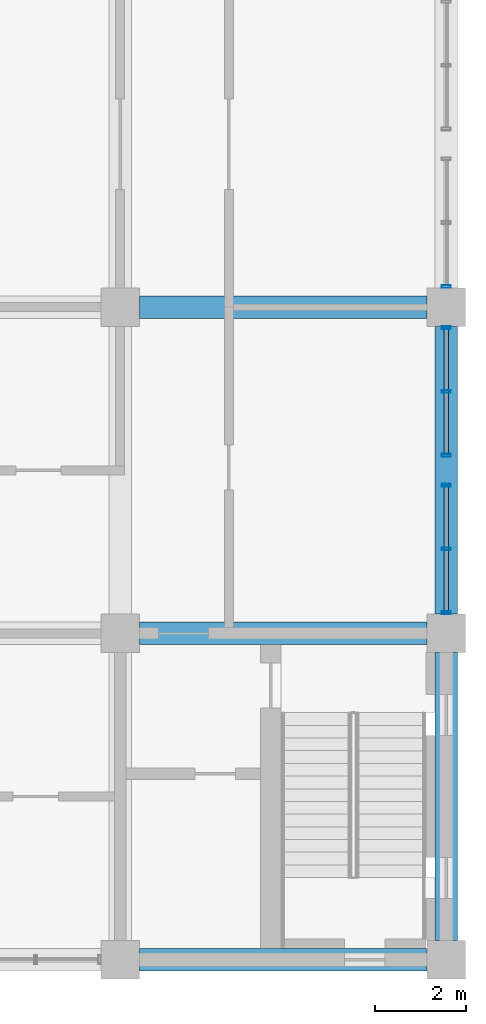
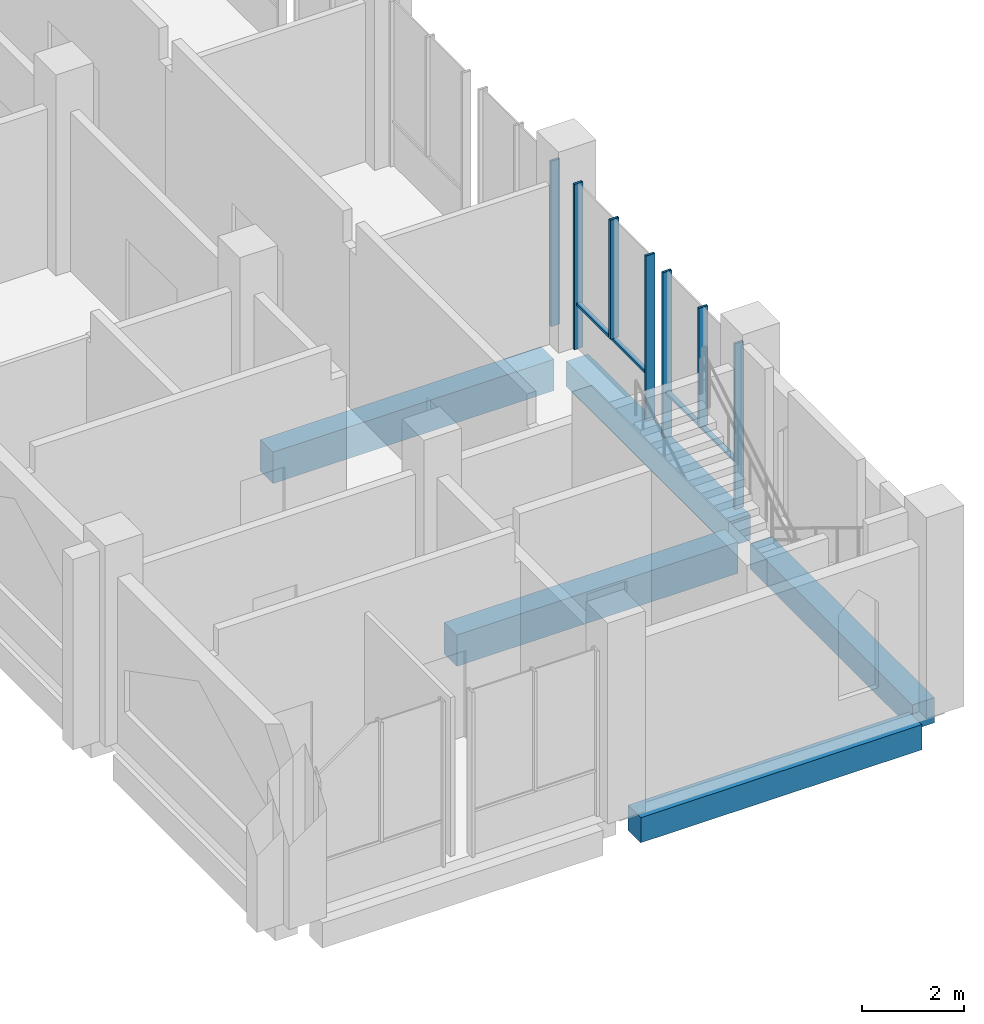
# One storey, part 16 of 40: 9 members, 5 beams, 3 elements without a shape of their own.
"""IFC4 building model written with IfcOpenShell, lengths in metres."""

import ifcopenshell
import ifcopenshell.guid

model = None  # the IFC model being written
_history = None  # IfcOwnerHistory: only IFC2X3 demands one
_inside = {}  # id of a spatial element -> (the spatial element, [elements in it])
_under = {}  # id of a project, library or spatial element -> (it, [spatial elements below it])
_declared = {}  # id of a project -> (the project, [libraries it declares])
_typed = {}  # id of a type object -> (the type object, [elements of that type])
_made_of = {}  # id of a material, layer set ... -> (it, [elements and type objects made of it])


def new_model(schema):
    """Start an empty IFC model of exactly this schema.

    Asked for "IFC4X3", IfcOpenShell would pick the latest addendum, in which some entities
    have other attributes; the version numbers below select the first issue.
    IFC2X3 requires an IfcOwnerHistory on every rooted entity: one is made here for all.
    """
    global model, _history
    if schema == "IFC4X3":
        model = ifcopenshell.file(schema_version=(4, 3, 0, 0))
    else:
        model = ifcopenshell.file(schema=schema)
    _inside.clear()
    _under.clear()
    _declared.clear()
    _typed.clear()
    _made_of.clear()
    _history = None
    if model.schema == "IFC2X3":
        org = make("IfcOrganization", Name="unknown")
        user = make(
            "IfcPersonAndOrganization",
            ThePerson=make("IfcPerson", FamilyName="unknown"),
            TheOrganization=org,
        )
        app = make(
            "IfcApplication",
            ApplicationDeveloper=org,
            Version="unknown",
            ApplicationFullName="unknown",
            ApplicationIdentifier="unknown",
        )
        _history = make(
            "IfcOwnerHistory",
            OwningUser=user,
            OwningApplication=app,
            ChangeAction="ADDED",
            CreationDate=0,
        )
    return model


def make(cls, **values):
    """One entity of the class cls with the attributes given. An attribute that is None is left unset."""
    return model.create_entity(
        cls, **{name: value for name, value in values.items() if value is not None}
    )


def rooted(cls, **values):
    """An entity with a GlobalId (a new one), such as an element, a storey or a relation."""
    return make(cls, GlobalId=ifcopenshell.guid.new(), OwnerHistory=_history, **values)


def si_unit(unit_type, name, prefix=None):
    """IfcSIUnit, for example si_unit("LENGTHUNIT", "METRE", prefix="MILLI")."""
    return make("IfcSIUnit", UnitType=unit_type, Prefix=prefix, Name=name)


def assignment(units):
    """IfcUnitAssignment: the units of a project."""
    return None if units is None else make("IfcUnitAssignment", Units=units)


def point(xyz):
    """IfcCartesianPoint."""
    return None if xyz is None else make("IfcCartesianPoint", Coordinates=xyz)


def direction(xyz):
    """IfcDirection."""
    return None if xyz is None else make("IfcDirection", DirectionRatios=xyz)


def frame(location, z_axis=None, x_axis=None):
    """IfcAxis2Placement3D, a coordinate frame: its origin and axes. An axis left out is left unset."""
    return make(
        "IfcAxis2Placement3D",
        Location=point(location),
        Axis=direction(z_axis),
        RefDirection=direction(x_axis),
    )


def frame_2d(location, x_axis=None):
    """IfcAxis2Placement2D, a coordinate frame in the plane: its origin and x axis."""
    return make(
        "IfcAxis2Placement2D", Location=point(location), RefDirection=direction(x_axis)
    )


def origin():
    """The frame at (0, 0, 0) with its axes left unset."""
    return frame((0.0, 0.0, 0.0))


def origin_2d():
    """The frame at (0, 0) in the plane with its x axis left unset."""
    return frame_2d((0.0, 0.0))


def place(relative_to, where):
    """IfcLocalPlacement: puts the frame where relative to a parent placement (None: the world)."""
    return make(
        "IfcLocalPlacement", PlacementRelTo=relative_to, RelativePlacement=where
    )


def context(
    kind, dimensions, precision=None, world=None, true_north=None, identifier=None
):
    """IfcGeometricRepresentationContext, for example the 3D "Model" context."""
    return make(
        "IfcGeometricRepresentationContext",
        ContextIdentifier=identifier,
        ContextType=kind,
        CoordinateSpaceDimension=dimensions,
        Precision=precision,
        WorldCoordinateSystem=world,
        TrueNorth=true_north,
    )


def subcontext(parent, identifier, kind, view, scale=None):
    """IfcGeometricRepresentationSubContext, for example "Body" below "Model"."""
    return make(
        "IfcGeometricRepresentationSubContext",
        ContextIdentifier=identifier,
        ContextType=kind,
        ParentContext=parent,
        TargetScale=scale,
        TargetView=view,
    )


def project(units=None, contexts=None):
    """IfcProject with its units and contexts."""
    return rooted(
        "IfcProject",
        Name="project",
        RepresentationContexts=contexts,
        UnitsInContext=assignment(units),
    )


def spatial(cls, under=None, at=None, **own):
    """A site, building, storey or space (cls), placed at a placement, below another one or the project."""
    s = rooted(cls, ObjectPlacement=at, **own)
    if under is not None:
        _under.setdefault(under.id(), (under, []))[1].append(s)
    return s


def profile(cls, at=None, kind="AREA", **sizes):
    """A parametric profile (cls). Its sizes go by their IFC names, for example OverallWidth=200.0."""
    return make(cls, ProfileType=kind, Position=at, **sizes)


def rectangle(**sizes):
    """IfcRectangleProfileDef."""
    return profile("IfcRectangleProfileDef", **sizes)


def hollow_rectangle(**sizes):
    """IfcRectangleHollowProfileDef."""
    return profile("IfcRectangleHollowProfileDef", **sizes)


def extrude(swept, where, along, depth):
    """IfcExtrudedAreaSolid: the profile swept, set in the frame where, extruded along a direction by depth."""
    return make(
        "IfcExtrudedAreaSolid",
        SweptArea=swept,
        Position=where,
        ExtrudedDirection=direction(along),
        Depth=depth,
    )


def shape(context_of_items, identifier, shape_type, items):
    """IfcShapeRepresentation: the items that make up one representation, for example the "Body"."""
    return make(
        "IfcShapeRepresentation",
        ContextOfItems=context_of_items,
        RepresentationIdentifier=identifier,
        RepresentationType=shape_type,
        Items=items,
    )


def material(Name=None, Category=None):
    """IfcMaterial."""
    return make("IfcMaterial", Name=Name, Category=Category)


def material_profile(
    of_material, cross_section, Name=None, Category=None, Priority=None
):
    """IfcMaterialProfile: a cross section and its material."""
    return make(
        "IfcMaterialProfile",
        Name=Name,
        Material=of_material,
        Profile=cross_section,
        Priority=Priority,
        Category=Category,
    )


def profile_set(profiles, Name=None, composite=None):
    """IfcMaterialProfileSet."""
    return make(
        "IfcMaterialProfileSet",
        Name=Name,
        MaterialProfiles=profiles,
        CompositeProfile=composite,
    )


def made_of(thing, what):
    """Note that an element or type object is made of a material, layer set ...; save() writes the relation."""
    if what is not None:
        _made_of.setdefault(what.id(), (what, []))[1].append(thing)
    return thing


def type_object(cls, material=None, **own):
    """A type object (cls), such as IfcWallType, which elements share."""
    return made_of(rooted(cls, **own), material)


def element(
    cls,
    number,
    at=None,
    inside=None,
    cuts=None,
    type_object=None,
    material=None,
    context=None,
    identifier="Body",
    shape_type=None,
    held_by="IfcProductDefinitionShape",
    body=None,
    shapes=None,
    **own,
):
    """One element of the class cls, such as IfcWall. Its Tag is "e" and its number.

    at: its placement. inside: the storey or other place that contains it. cuts: it is an
    opening in that element (IfcRelVoidsElement). A single representation is given by context,
    identifier, shape_type and body (its items); several are given by shapes. held_by: the class
    of the entity that holds the representations. save() writes the other relations.
    """
    e = rooted(cls, Tag="e%d" % number, ObjectPlacement=at, **own)
    if body is not None:
        shapes = [shape(context, identifier, shape_type, body)]
    if shapes is not None:
        e.Representation = make(held_by, Representations=shapes)
    if inside is not None:
        _inside.setdefault(inside.id(), (inside, []))[1].append(e)
    if cuts is not None:
        rooted(
            "IfcRelVoidsElement", RelatingBuildingElement=cuts, RelatedOpeningElement=e
        )
    if type_object is not None:
        _typed.setdefault(type_object.id(), (type_object, []))[1].append(e)
    return made_of(e, material)


def aggregate(whole, parts):
    """IfcRelAggregates: a whole, such as a stair, and the parts it consists of."""
    return rooted("IfcRelAggregates", RelatingObject=whole, RelatedObjects=parts)


def save(model, path):
    """Write the relations noted so far, then the file.

    IfcRelAggregates (storeys below a building ...), IfcRelContainedInSpatialStructure (elements
    in a storey), IfcRelDefinesByType, IfcRelAssociatesMaterial and IfcRelDeclares: one each for
    every whole, place, type object, material and project.
    """
    for whole, parts in _under.values():
        aggregate(whole, parts)
    for where, things in _inside.values():
        rooted(
            "IfcRelContainedInSpatialStructure",
            RelatedElements=things,
            RelatingStructure=where,
        )
    for kind, things in _typed.values():
        rooted("IfcRelDefinesByType", RelatedObjects=things, RelatingType=kind)
    for what, things in _made_of.values():
        rooted("IfcRelAssociatesMaterial", RelatedObjects=things, RelatingMaterial=what)
    for by, libraries in _declared.values():
        rooted("IfcRelDeclares", RelatingContext=by, RelatedDefinitions=libraries)
    model.write(path)


model = new_model("IFC4")

# Units and contexts
model_context = context("Model", 3, precision=1e-05, world=origin(), true_north=direction((0.0, 1.0)))
body_context = subcontext(model_context, "Body", "Model", "MODEL_VIEW")
ifc_project = project(units=[si_unit("LENGTHUNIT", "METRE"), si_unit("AREAUNIT", "SQUARE_METRE"), si_unit("VOLUMEUNIT", "CUBIC_METRE"), si_unit("PLANEANGLEUNIT", "RADIAN"), si_unit("MASSUNIT", "GRAM", prefix="KILO")], contexts=[model_context])

# Site, building, storey
site_placement = place(None, origin())
site = spatial("IfcSite", under=ifc_project, at=site_placement, CompositionType="ELEMENT")
building_placement = place(site_placement, origin())
building = spatial("IfcBuilding", under=site, at=building_placement, Name="Silangan Lancet Faculty of Sciences", CompositionType="ELEMENT")
storey_placement = place(building_placement, frame((0.0, 0.0, 16.800048828125)))
storey = spatial("IfcBuildingStorey", under=building, at=storey_placement, Name="L03", CompositionType="ELEMENT", Elevation=16.800048828125)

# Beams
ifc_material_1 = material(Name="Concrete C40/50", Category="concrete")
ifc_material_profile_1 = material_profile(ifc_material_1, rectangle(XDim=0.5, YDim=0.60009765625, at=origin_2d()), Name="RC 500x600")
ifc_profile_set_1 = profile_set([ifc_material_profile_1], Name="Concrete C40/50")
beam_type_1 = type_object("IfcBeamType", Name="BEAM RC 500x600", PredefinedType="BEAM", material=ifc_profile_set_1)
beam_1_placement = place(storey_placement, frame((79.625, 0.0, -0.550048828125), z_axis=(1.0, 0.0, 0.0), x_axis=(0.0, 1.0, 0.0)))
element("IfcBeam", 1, at=beam_1_placement, inside=storey, type_object=beam_type_1, Name="BM-L03-12A-13A", PredefinedType="BEAM", context=body_context, shape_type="SweptSolid", body=[
    extrude(rectangle(XDim=0.5, YDim=0.60009765625, at=origin_2d()), origin(), (0.0, 0.0, 1.0), 6.35009765625),
])
beam_2_placement = place(storey_placement, frame((86.39990234375, 0.425048828125, -0.550048828125), z_axis=(0.0, 1.0, 0.0), x_axis=(-1.0, 0.0, 0.0)))
element("IfcBeam", 2, at=beam_2_placement, inside=storey, type_object=beam_type_1, Name="BM-L03-13A-13B", PredefinedType="BEAM", context=body_context, shape_type="SweptSolid", body=[
    extrude(rectangle(XDim=0.5, YDim=0.60009765625, at=origin_2d()), origin(), (0.0, 0.0, 1.0), 6.349853515625),
])
beam_3_placement = place(storey_placement, frame((86.39990234375, 7.625, -0.550048828125), z_axis=(0.0, 1.0, 0.0), x_axis=(-1.0, 0.0, 0.0)))
element("IfcBeam", 3, at=beam_3_placement, inside=storey, type_object=beam_type_1, Name="BM-L03-13B-13C", PredefinedType="BEAM", context=body_context, shape_type="SweptSolid", body=[
    extrude(rectangle(XDim=0.5, YDim=0.60009765625, at=origin_2d()), origin(), (0.0, 0.0, 1.0), 6.35009765625),
])
ifc_material_2 = material(Name="Concrete C40/50", Category="concrete")
ifc_material_profile_2 = material_profile(ifc_material_2, rectangle(XDim=0.5, YDim=0.75, at=origin_2d()), Name="RC 500x750")
ifc_profile_set_2 = profile_set([ifc_material_profile_2], Name="Concrete C40/50")
beam_type_2 = type_object("IfcBeamType", Name="BEAM RC 500x750", PredefinedType="BEAM", material=ifc_profile_set_2)
for number, where, z_axis, x_axis, name in (
    (4, (79.625, 7.199951171875, -0.625), (1.0, 0.0, 0.0), (0.0, 1.0, 0.0), "BM-L03-12B-13B"),
    (5, (79.625, 14.39990234375, -0.625), (1.0, 0.0, 0.0), (0.0, 1.0, 0.0), "BM-L03-12C-13C"),
):
    element("IfcBeam", number, at=place(storey_placement, frame(where, z_axis=z_axis, x_axis=x_axis)), inside=storey, type_object=beam_type_2, Name=name, PredefinedType="BEAM", context=body_context, shape_type="SweptSolid", body=[
        extrude(rectangle(XDim=0.5, YDim=0.75, at=origin_2d()), origin(), (0.0, 0.0, 1.0), 6.35009765625),
    ])

# Curtain wall, members
ifc_material_3 = material(Name="Aluminium framed curtain wall with insulated glass", Category="aluminium")
curtain_wall_type = type_object("IfcCurtainWallType", Name="CW1 Commons and east block glazing", PredefinedType="NOTDEFINED", material=ifc_material_3)
curtain_wall_1_placement = place(storey_placement, origin())
curtain_wall_1 = element("IfcCurtainWall", 6, at=curtain_wall_1_placement, inside=storey, type_object=curtain_wall_type, Name="CW1 East commons L03 bay 1", PredefinedType="NOTDEFINED")
ifc_material_4 = material(Name="Aluminium 6063-T6 extrusion", Category="aluminium")
ifc_material_profile_3 = material_profile(ifc_material_4, hollow_rectangle(XDim=0.06005859375, YDim=0.199951171875, WallThickness=0.00390625, at=origin_2d()), Name="AL BOX 60x200x4")
ifc_profile_set_3 = profile_set([ifc_material_profile_3], Name="Aluminium 6063-T6 extrusion")
member_type_1 = type_object("IfcMemberType", Name="CM1 Mullion 60x200", PredefinedType="MULLION", material=ifc_profile_set_3)
member_1_placement = place(storey_placement, frame((86.39990234375, 7.655029296875, 0.0), z_axis=(0.0, 0.0, 1.0), x_axis=(0.0, 1.0, 0.0)))
member_1 = element("IfcMember", 7, at=member_1_placement, type_object=member_type_1, Name="CW1 East commons L03 bay 1 mullion 1", PredefinedType="MULLION", context=body_context, shape_type="SweptSolid", body=[
    extrude(hollow_rectangle(XDim=0.06005859375, YDim=0.199951171875, WallThickness=0.00390625, at=origin_2d()), origin(), (0.0, 0.0, 1.0), 3.949951171875),
])
member_2_placement = place(storey_placement, frame((86.39990234375, 10.469970703125, 0.0), z_axis=(0.0, 0.0, 1.0), x_axis=(0.0, 1.0, 0.0)))
member_2 = element("IfcMember", 8, at=member_2_placement, type_object=member_type_1, Name="CW1 East commons L03 bay 1 mullion 2", PredefinedType="MULLION", context=body_context, shape_type="SweptSolid", body=[
    extrude(hollow_rectangle(XDim=0.06005859375, YDim=0.199951171875, WallThickness=0.00390625, at=origin_2d()), origin(), (0.0, 0.0, 1.0), 3.949951171875),
])
member_3_placement = place(storey_placement, frame((86.39990234375, 9.0625, 1.099853515625), z_axis=(0.0, 0.0, 1.0), x_axis=(0.0, 1.0, 0.0)))
member_3 = element("IfcMember", 9, at=member_3_placement, type_object=member_type_1, Name="CW1 East commons L03 bay 1 mullion 3", PredefinedType="MULLION", context=body_context, shape_type="SweptSolid", body=[
    extrude(hollow_rectangle(XDim=0.06005859375, YDim=0.199951171875, WallThickness=0.00390625, at=origin_2d()), origin(), (0.0, 0.0, 1.0), 2.85009765625),
])

curtain_wall_2_placement = place(storey_placement, origin())
curtain_wall_2 = element("IfcCurtainWall", 10, at=curtain_wall_2_placement, inside=storey, type_object=curtain_wall_type, Name="CW1 East commons L03 bay 2", PredefinedType="NOTDEFINED")
member_4_placement = place(storey_placement, frame((86.39990234375, 11.1298828125, 0.0), z_axis=(0.0, 0.0, 1.0), x_axis=(0.0, 1.0, 0.0)))
member_4 = element("IfcMember", 11, at=member_4_placement, type_object=member_type_1, Name="CW1 East commons L03 bay 2 mullion 1", PredefinedType="MULLION", context=body_context, shape_type="SweptSolid", body=[
    extrude(hollow_rectangle(XDim=0.06005859375, YDim=0.199951171875, WallThickness=0.00390625, at=origin_2d()), origin(), (0.0, 0.0, 1.0), 3.949951171875),
])
member_5_placement = place(storey_placement, frame((86.39990234375, 13.945068359375, 0.0), z_axis=(0.0, 0.0, 1.0), x_axis=(0.0, 1.0, 0.0)))
member_5 = element("IfcMember", 12, at=member_5_placement, type_object=member_type_1, Name="CW1 East commons L03 bay 2 mullion 2", PredefinedType="MULLION", context=body_context, shape_type="SweptSolid", body=[
    extrude(hollow_rectangle(XDim=0.06005859375, YDim=0.199951171875, WallThickness=0.00390625, at=origin_2d()), origin(), (0.0, 0.0, 1.0), 3.949951171875),
])
member_6_placement = place(storey_placement, frame((86.39990234375, 12.53759765625, 1.099853515625), z_axis=(0.0, 0.0, 1.0), x_axis=(0.0, 1.0, 0.0)))
member_6 = element("IfcMember", 13, at=member_6_placement, type_object=member_type_1, Name="CW1 East commons L03 bay 2 mullion 3", PredefinedType="MULLION", context=body_context, shape_type="SweptSolid", body=[
    extrude(hollow_rectangle(XDim=0.06005859375, YDim=0.199951171875, WallThickness=0.00390625, at=origin_2d()), origin(), (0.0, 0.0, 1.0), 2.85009765625),
])

# Curtain wall, member
curtain_wall_3_placement = place(storey_placement, origin())
curtain_wall_3 = element("IfcCurtainWall", 14, at=curtain_wall_3_placement, inside=storey, type_object=curtain_wall_type, Name="CW1 East commons L03 bay 3", PredefinedType="NOTDEFINED")
member_7_placement = place(storey_placement, frame((86.39990234375, 14.85498046875, 0.0), z_axis=(0.0, 0.0, 1.0), x_axis=(0.0, 1.0, 0.0)))
member_7 = element("IfcMember", 15, at=member_7_placement, type_object=member_type_1, Name="CW1 East commons L03 bay 3 mullion 1", PredefinedType="MULLION", context=body_context, shape_type="SweptSolid", body=[
    extrude(hollow_rectangle(XDim=0.06005859375, YDim=0.199951171875, WallThickness=0.00390625, at=origin_2d()), origin(), (0.0, 0.0, 1.0), 3.949951171875),
])
aggregate(curtain_wall_3, [member_7])

# Member
ifc_material_5 = material(Name="Aluminium 6063-T6 extrusion", Category="aluminium")
ifc_material_profile_4 = material_profile(ifc_material_5, hollow_rectangle(XDim=0.10009765625, YDim=0.06005859375, WallThickness=0.0029296875, at=origin_2d()), Name="AL BOX 100x60x3")
ifc_profile_set_4 = profile_set([ifc_material_profile_4], Name="Aluminium 6063-T6 extrusion")
member_type_2 = type_object("IfcMemberType", Name="CT1 Transom 100x60", PredefinedType="USERDEFINED", material=ifc_profile_set_4)
member_8_placement = place(storey_placement, frame((86.39990234375, 7.68505859375, 1.070068359375), z_axis=(0.0, 1.0, 0.0), x_axis=(-1.0, 0.0, 0.0)))
member_8 = element("IfcMember", 16, at=member_8_placement, type_object=member_type_2, Name="CW1 East commons L03 bay 1 transom 1", ObjectType="TRANSOM", PredefinedType="USERDEFINED", context=body_context, shape_type="SweptSolid", body=[
    extrude(hollow_rectangle(XDim=0.10009765625, YDim=0.06005859375, WallThickness=0.0029296875, at=origin_2d()), origin(), (0.0, 0.0, 1.0), 2.7548828125),
])

aggregate(curtain_wall_1, [member_1, member_2, member_3, member_8])

member_9_placement = place(storey_placement, frame((86.39990234375, 11.159912109375, 1.070068359375), z_axis=(0.0, 1.0, 0.0), x_axis=(-1.0, 0.0, 0.0)))
member_9 = element("IfcMember", 17, at=member_9_placement, type_object=member_type_2, Name="CW1 East commons L03 bay 2 transom 1", ObjectType="TRANSOM", PredefinedType="USERDEFINED", context=body_context, shape_type="SweptSolid", body=[
    extrude(hollow_rectangle(XDim=0.10009765625, YDim=0.06005859375, WallThickness=0.0029296875, at=origin_2d()), origin(), (0.0, 0.0, 1.0), 2.755126953125),
])

aggregate(curtain_wall_2, [member_4, member_5, member_6, member_9])

save(model, "model.ifc")
